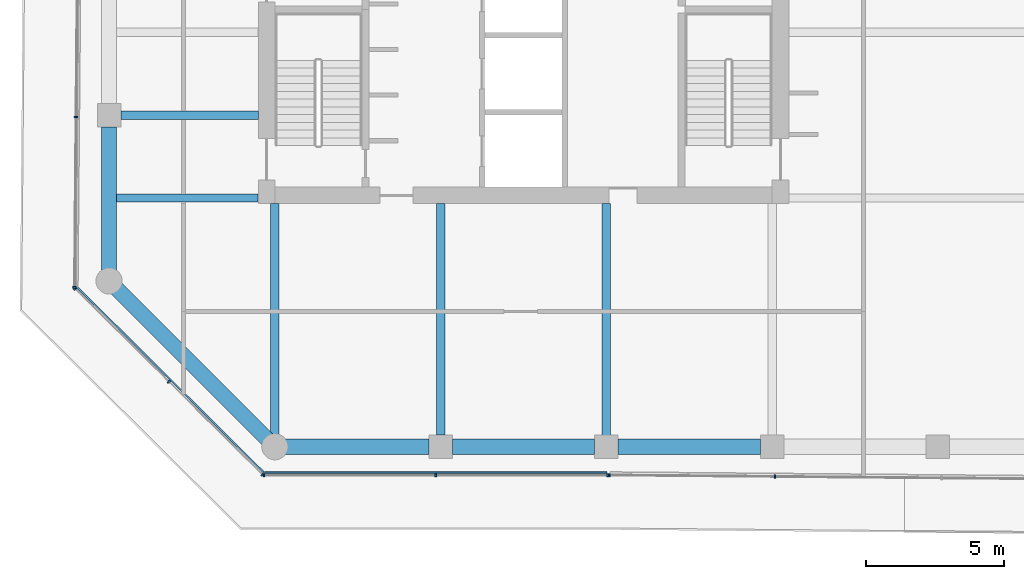
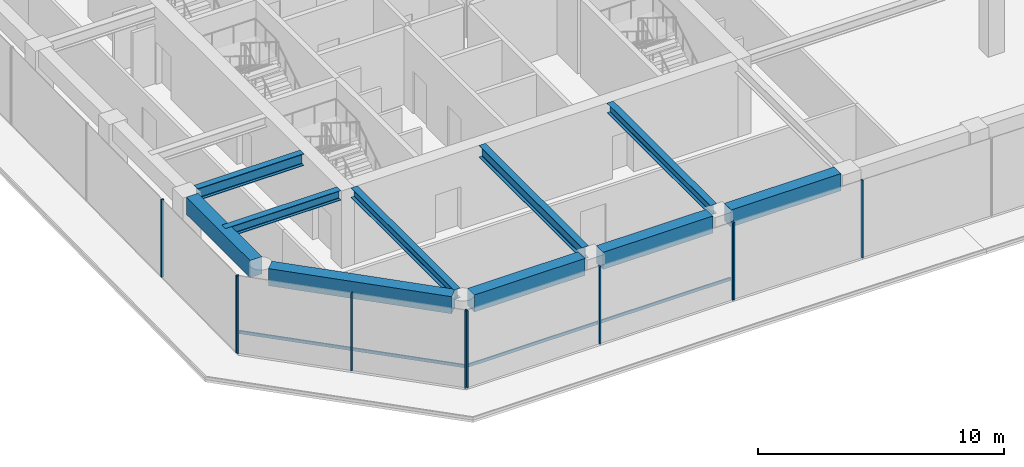
# One storey, part 2 of 19: 12 members, 10 beams, 4 elements without a shape of their own.
"""IFC4 building model written with IfcOpenShell, lengths in metres."""

import ifcopenshell
import ifcopenshell.guid

model = None  # the IFC model being written
_history = None  # IfcOwnerHistory: only IFC2X3 demands one
_inside = {}  # id of a spatial element -> (the spatial element, [elements in it])
_under = {}  # id of a project, library or spatial element -> (it, [spatial elements below it])
_declared = {}  # id of a project -> (the project, [libraries it declares])
_typed = {}  # id of a type object -> (the type object, [elements of that type])
_made_of = {}  # id of a material, layer set ... -> (it, [elements and type objects made of it])


def new_model(schema):
    """Start an empty IFC model of exactly this schema.

    Asked for "IFC4X3", IfcOpenShell would pick the latest addendum, in which some entities
    have other attributes; the version numbers below select the first issue.
    IFC2X3 requires an IfcOwnerHistory on every rooted entity: one is made here for all.
    """
    global model, _history
    if schema == "IFC4X3":
        model = ifcopenshell.file(schema_version=(4, 3, 0, 0))
    else:
        model = ifcopenshell.file(schema=schema)
    _inside.clear()
    _under.clear()
    _declared.clear()
    _typed.clear()
    _made_of.clear()
    _history = None
    if model.schema == "IFC2X3":
        org = make("IfcOrganization", Name="unknown")
        user = make(
            "IfcPersonAndOrganization",
            ThePerson=make("IfcPerson", FamilyName="unknown"),
            TheOrganization=org,
        )
        app = make(
            "IfcApplication",
            ApplicationDeveloper=org,
            Version="unknown",
            ApplicationFullName="unknown",
            ApplicationIdentifier="unknown",
        )
        _history = make(
            "IfcOwnerHistory",
            OwningUser=user,
            OwningApplication=app,
            ChangeAction="ADDED",
            CreationDate=0,
        )
    return model


def make(cls, **values):
    """One entity of the class cls with the attributes given. An attribute that is None is left unset."""
    return model.create_entity(
        cls, **{name: value for name, value in values.items() if value is not None}
    )


def rooted(cls, **values):
    """An entity with a GlobalId (a new one), such as an element, a storey or a relation."""
    return make(cls, GlobalId=ifcopenshell.guid.new(), OwnerHistory=_history, **values)


def si_unit(unit_type, name, prefix=None):
    """IfcSIUnit, for example si_unit("LENGTHUNIT", "METRE", prefix="MILLI")."""
    return make("IfcSIUnit", UnitType=unit_type, Prefix=prefix, Name=name)


def assignment(units):
    """IfcUnitAssignment: the units of a project."""
    return None if units is None else make("IfcUnitAssignment", Units=units)


def point(xyz):
    """IfcCartesianPoint."""
    return None if xyz is None else make("IfcCartesianPoint", Coordinates=xyz)


def direction(xyz):
    """IfcDirection."""
    return None if xyz is None else make("IfcDirection", DirectionRatios=xyz)


def frame(location, z_axis=None, x_axis=None):
    """IfcAxis2Placement3D, a coordinate frame: its origin and axes. An axis left out is left unset."""
    return make(
        "IfcAxis2Placement3D",
        Location=point(location),
        Axis=direction(z_axis),
        RefDirection=direction(x_axis),
    )


def frame_2d(location, x_axis=None):
    """IfcAxis2Placement2D, a coordinate frame in the plane: its origin and x axis."""
    return make(
        "IfcAxis2Placement2D", Location=point(location), RefDirection=direction(x_axis)
    )


def origin():
    """The frame at (0, 0, 0) with its axes left unset."""
    return frame((0.0, 0.0, 0.0))


def origin_2d():
    """The frame at (0, 0) in the plane with its x axis left unset."""
    return frame_2d((0.0, 0.0))


def place(relative_to, where):
    """IfcLocalPlacement: puts the frame where relative to a parent placement (None: the world)."""
    return make(
        "IfcLocalPlacement", PlacementRelTo=relative_to, RelativePlacement=where
    )


def context(
    kind, dimensions, precision=None, world=None, true_north=None, identifier=None
):
    """IfcGeometricRepresentationContext, for example the 3D "Model" context."""
    return make(
        "IfcGeometricRepresentationContext",
        ContextIdentifier=identifier,
        ContextType=kind,
        CoordinateSpaceDimension=dimensions,
        Precision=precision,
        WorldCoordinateSystem=world,
        TrueNorth=true_north,
    )


def subcontext(parent, identifier, kind, view, scale=None):
    """IfcGeometricRepresentationSubContext, for example "Body" below "Model"."""
    return make(
        "IfcGeometricRepresentationSubContext",
        ContextIdentifier=identifier,
        ContextType=kind,
        ParentContext=parent,
        TargetScale=scale,
        TargetView=view,
    )


def project(units=None, contexts=None):
    """IfcProject with its units and contexts."""
    return rooted(
        "IfcProject",
        Name="project",
        RepresentationContexts=contexts,
        UnitsInContext=assignment(units),
    )


def spatial(cls, under=None, at=None, **own):
    """A site, building, storey or space (cls), placed at a placement, below another one or the project."""
    s = rooted(cls, ObjectPlacement=at, **own)
    if under is not None:
        _under.setdefault(under.id(), (under, []))[1].append(s)
    return s


def profile(cls, at=None, kind="AREA", **sizes):
    """A parametric profile (cls). Its sizes go by their IFC names, for example OverallWidth=200.0."""
    return make(cls, ProfileType=kind, Position=at, **sizes)


def rectangle(**sizes):
    """IfcRectangleProfileDef."""
    return profile("IfcRectangleProfileDef", **sizes)


def i_section(**sizes):
    """IfcIShapeProfileDef."""
    return profile("IfcIShapeProfileDef", **sizes)


def extrude(swept, where, along, depth):
    """IfcExtrudedAreaSolid: the profile swept, set in the frame where, extruded along a direction by depth."""
    return make(
        "IfcExtrudedAreaSolid",
        SweptArea=swept,
        Position=where,
        ExtrudedDirection=direction(along),
        Depth=depth,
    )


def shape(context_of_items, identifier, shape_type, items):
    """IfcShapeRepresentation: the items that make up one representation, for example the "Body"."""
    return make(
        "IfcShapeRepresentation",
        ContextOfItems=context_of_items,
        RepresentationIdentifier=identifier,
        RepresentationType=shape_type,
        Items=items,
    )


def material(Name=None, Category=None):
    """IfcMaterial."""
    return make("IfcMaterial", Name=Name, Category=Category)


def layer(
    of_material, thickness, ventilated=None, Name=None, Category=None, Priority=None
):
    """IfcMaterialLayer: one layer of a wall or slab, of a material (None: an air gap)."""
    return make(
        "IfcMaterialLayer",
        Material=of_material,
        LayerThickness=thickness,
        IsVentilated=ventilated,
        Name=Name,
        Category=Category,
        Priority=Priority,
    )


def layer_set(layers, Name=None):
    """IfcMaterialLayerSet."""
    return make("IfcMaterialLayerSet", MaterialLayers=layers, LayerSetName=Name)


def material_profile(
    of_material, cross_section, Name=None, Category=None, Priority=None
):
    """IfcMaterialProfile: a cross section and its material."""
    return make(
        "IfcMaterialProfile",
        Name=Name,
        Material=of_material,
        Profile=cross_section,
        Priority=Priority,
        Category=Category,
    )


def profile_set(profiles, Name=None, composite=None):
    """IfcMaterialProfileSet."""
    return make(
        "IfcMaterialProfileSet",
        Name=Name,
        MaterialProfiles=profiles,
        CompositeProfile=composite,
    )


def made_of(thing, what):
    """Note that an element or type object is made of a material, layer set ...; save() writes the relation."""
    if what is not None:
        _made_of.setdefault(what.id(), (what, []))[1].append(thing)
    return thing


def type_object(cls, material=None, **own):
    """A type object (cls), such as IfcWallType, which elements share."""
    return made_of(rooted(cls, **own), material)


def element(
    cls,
    number,
    at=None,
    inside=None,
    cuts=None,
    type_object=None,
    material=None,
    context=None,
    identifier="Body",
    shape_type=None,
    held_by="IfcProductDefinitionShape",
    body=None,
    shapes=None,
    **own,
):
    """One element of the class cls, such as IfcWall. Its Tag is "e" and its number.

    at: its placement. inside: the storey or other place that contains it. cuts: it is an
    opening in that element (IfcRelVoidsElement). A single representation is given by context,
    identifier, shape_type and body (its items); several are given by shapes. held_by: the class
    of the entity that holds the representations. save() writes the other relations.
    """
    e = rooted(cls, Tag="e%d" % number, ObjectPlacement=at, **own)
    if body is not None:
        shapes = [shape(context, identifier, shape_type, body)]
    if shapes is not None:
        e.Representation = make(held_by, Representations=shapes)
    if inside is not None:
        _inside.setdefault(inside.id(), (inside, []))[1].append(e)
    if cuts is not None:
        rooted(
            "IfcRelVoidsElement", RelatingBuildingElement=cuts, RelatedOpeningElement=e
        )
    if type_object is not None:
        _typed.setdefault(type_object.id(), (type_object, []))[1].append(e)
    return made_of(e, material)


def aggregate(whole, parts):
    """IfcRelAggregates: a whole, such as a stair, and the parts it consists of."""
    return rooted("IfcRelAggregates", RelatingObject=whole, RelatedObjects=parts)


def save(model, path):
    """Write the relations noted so far, then the file.

    IfcRelAggregates (storeys below a building ...), IfcRelContainedInSpatialStructure (elements
    in a storey), IfcRelDefinesByType, IfcRelAssociatesMaterial and IfcRelDeclares: one each for
    every whole, place, type object, material and project.
    """
    for whole, parts in _under.values():
        aggregate(whole, parts)
    for where, things in _inside.values():
        rooted(
            "IfcRelContainedInSpatialStructure",
            RelatedElements=things,
            RelatingStructure=where,
        )
    for kind, things in _typed.values():
        rooted("IfcRelDefinesByType", RelatedObjects=things, RelatingType=kind)
    for what, things in _made_of.values():
        rooted("IfcRelAssociatesMaterial", RelatedObjects=things, RelatingMaterial=what)
    for by, libraries in _declared.values():
        rooted("IfcRelDeclares", RelatingContext=by, RelatedDefinitions=libraries)
    model.write(path)


model = new_model("IFC4")

# Units and contexts
model_context = context("Model", 3, precision=1e-05, world=origin(), true_north=direction((0.0, 1.0)))
body_context = subcontext(model_context, "Body", "Model", "MODEL_VIEW")
ifc_project = project(units=[si_unit("LENGTHUNIT", "METRE"), si_unit("AREAUNIT", "SQUARE_METRE"), si_unit("VOLUMEUNIT", "CUBIC_METRE"), si_unit("PLANEANGLEUNIT", "RADIAN"), si_unit("MASSUNIT", "GRAM", prefix="KILO")], contexts=[model_context])

# Site, building, storey
site_placement = place(None, origin())
site = spatial("IfcSite", under=ifc_project, at=site_placement, CompositionType="ELEMENT")
building_placement = place(site_placement, origin())
building = spatial("IfcBuilding", under=site, at=building_placement, Name="Welwitschia Terrace Campus", CompositionType="ELEMENT")
storey_placement = place(building_placement, frame((0.0, 0.0, 167.60009765625)))
storey = spatial("IfcBuildingStorey", under=building, at=storey_placement, Name="L37", CompositionType="ELEMENT", Elevation=167.60009765625)

# Beams
ifc_material_1 = material(Name="Steel S355", Category="steel")
ifc_material_profile_1 = material_profile(ifc_material_1, i_section(OverallWidth=0.300048828125, OverallDepth=0.489990234375, WebThickness=0.011962890625, FlangeThickness=0.02294921875, FilletRadius=0.027099609375, at=origin_2d()))
ifc_profile_set_1 = profile_set([ifc_material_profile_1], Name="Steel S355")
beam_type_1 = type_object("IfcBeamType", Name="Interior girder HE 500 A", PredefinedType="BEAM", material=ifc_profile_set_1)
beam_1_placement = place(storey_placement, frame((-0.010009765625, 5.0, 3.60498046875), z_axis=(1.0, 0.0, 0.0), x_axis=(0.0, 1.0, 0.0)))
element("IfcBeam", 1, at=beam_1_placement, inside=storey, type_object=beam_type_1, Name="Girder GB4", PredefinedType="BEAM", context=body_context, shape_type="SweptSolid", body=[
    extrude(i_section(OverallWidth=0.300048828125, OverallDepth=0.489990234375, WebThickness=0.011962890625, FlangeThickness=0.02294921875, FilletRadius=0.027099609375, at=origin_2d()), origin(), (0.0, 0.0, 1.0), 5.408935546875),
])
beam_2_placement = place(storey_placement, frame((6.0, -3.55859375, 3.60498046875), z_axis=(0.0, 1.0, 0.0), x_axis=(-1.0, 0.0, 0.0)))
element("IfcBeam", 2, at=beam_2_placement, inside=storey, type_object=beam_type_1, Name="Girder GB4", PredefinedType="BEAM", context=body_context, shape_type="SweptSolid", body=[
    extrude(i_section(OverallWidth=0.300048828125, OverallDepth=0.489990234375, WebThickness=0.011962890625, FlangeThickness=0.02294921875, FilletRadius=0.027099609375, at=origin_2d()), origin(), (0.0, 0.0, 1.0), 8.357666015625),
])
beam_3_placement = place(storey_placement, frame((18.0, -3.58447265625, 3.60498046875), z_axis=(0.0, 1.0, 0.0), x_axis=(-1.0, 0.0, 0.0)))
element("IfcBeam", 3, at=beam_3_placement, inside=storey, type_object=beam_type_1, Name="Girder GB4", PredefinedType="BEAM", context=body_context, shape_type="SweptSolid", body=[
    extrude(i_section(OverallWidth=0.300048828125, OverallDepth=0.489990234375, WebThickness=0.011962890625, FlangeThickness=0.02294921875, FilletRadius=0.027099609375, at=origin_2d()), origin(), (0.0, 0.0, 1.0), 8.383544921875),
])

# Curtain wall, members
ifc_material_2 = material(Name="Bronze anodised aluminium", Category="aluminium")
ifc_layer = layer(ifc_material_2, 0.1201171875)
ifc_layer_set = layer_set([ifc_layer], Name="Bronze anodised aluminium")
curtain_wall_type = type_object("IfcCurtainWallType", Name="Curtain wall CW2 tower 6000", PredefinedType="NOTDEFINED", material=ifc_layer_set)
curtain_wall_1_placement = place(storey_placement, origin())
curtain_wall_1 = element("IfcCurtainWall", 4, at=curtain_wall_1_placement, inside=storey, type_object=curtain_wall_type, Name="CW L37.2.0", PredefinedType="NOTDEFINED")
ifc_material_3 = material(Name="Bronze anodised aluminium", Category="aluminium")
ifc_material_profile_2 = material_profile(ifc_material_3, rectangle(XDim=0.1201171875, YDim=0.06005859375, at=origin_2d()))
ifc_profile_set_2 = profile_set([ifc_material_profile_2], Name="Bronze anodised aluminium")
member_type_1 = type_object("IfcMemberType", Name="Mullion 60x120", PredefinedType="MULLION", material=ifc_profile_set_2)
member_1_placement = place(storey_placement, frame((-1.1923828125, 7.939697265625, 0.0), z_axis=(0.0, 0.0, 1.0), x_axis=(0.999961923064, -0.008726535498, 0.0)))
member_1 = element("IfcMember", 5, at=member_1_placement, type_object=member_type_1, Name="Mullion L37.2.0.3", PredefinedType="MULLION", context=body_context, shape_type="SweptSolid", body=[
    extrude(rectangle(XDim=0.1201171875, YDim=0.06005859375, at=origin_2d()), origin(), (0.0, 0.0, 1.0), 3.849853515625),
])
member_2_placement = place(storey_placement, frame((-1.24609375, 1.77197265625, 0.0), z_axis=(0.0, 0.0, 1.0), x_axis=(0.999961923064, -0.008726535498, 0.0)))
member_2 = element("IfcMember", 6, at=member_2_placement, type_object=member_type_1, Name="Mullion L37.2.0.4", PredefinedType="MULLION", context=body_context, shape_type="SweptSolid", body=[
    extrude(rectangle(XDim=0.1201171875, YDim=0.06005859375, at=origin_2d()), origin(), (0.0, 0.0, 1.0), 3.849853515625),
])
aggregate(curtain_wall_1, [member_1, member_2])

curtain_wall_2_placement = place(storey_placement, origin())
curtain_wall_2 = element("IfcCurtainWall", 7, at=curtain_wall_2_placement, inside=storey, type_object=curtain_wall_type, Name="CW L37.3.0", PredefinedType="NOTDEFINED")
member_3_placement = place(storey_placement, frame((-1.22509765625, 1.720947265625, 0.0), z_axis=(0.0, 0.0, 1.0), x_axis=(0.704618531879, 0.709586305204, 0.0)))
member_3 = element("IfcMember", 8, at=member_3_placement, type_object=member_type_1, Name="Mullion L37.3.0.0", PredefinedType="MULLION", context=body_context, shape_type="SweptSolid", body=[
    extrude(rectangle(XDim=0.1201171875, YDim=0.06005859375, at=origin_2d()), origin(), (0.0, 0.0, 1.0), 3.849853515625),
])
member_4_placement = place(storey_placement, frame((2.16357421875, -1.64404296875, 0.0), z_axis=(0.0, 0.0, 1.0), x_axis=(0.704618531879, 0.709586305204, 0.0)))
member_4 = element("IfcMember", 9, at=member_4_placement, type_object=member_type_1, Name="Mullion L37.3.0.1", PredefinedType="MULLION", context=body_context, shape_type="SweptSolid", body=[
    extrude(rectangle(XDim=0.1201171875, YDim=0.06005859375, at=origin_2d()), origin(), (0.0, 0.0, 1.0), 3.849853515625),
])
member_5_placement = place(storey_placement, frame((5.55224609375, -5.0087890625, 0.0), z_axis=(0.0, 0.0, 1.0), x_axis=(0.704618531879, 0.709586305204, 0.0)))
member_5 = element("IfcMember", 10, at=member_5_placement, type_object=member_type_1, Name="Mullion L37.3.0.2", PredefinedType="MULLION", context=body_context, shape_type="SweptSolid", body=[
    extrude(rectangle(XDim=0.1201171875, YDim=0.06005859375, at=origin_2d()), origin(), (0.0, 0.0, 1.0), 3.849853515625),
])

curtain_wall_3_placement = place(storey_placement, origin())
curtain_wall_3 = element("IfcCurtainWall", 11, at=curtain_wall_3_placement, inside=storey, type_object=curtain_wall_type, Name="CW L37.4.0", PredefinedType="NOTDEFINED")
member_6_placement = place(storey_placement, frame((5.603515625, -5.030029296875, 0.0), z_axis=(0.0, 0.0, 1.0), x_axis=(0.0, 1.0, 0.0)))
member_6 = element("IfcMember", 12, at=member_6_placement, type_object=member_type_1, Name="Mullion L37.4.0.0", PredefinedType="MULLION", context=body_context, shape_type="SweptSolid", body=[
    extrude(rectangle(XDim=0.1201171875, YDim=0.06005859375, at=origin_2d()), origin(), (0.0, 0.0, 1.0), 3.849853515625),
])
member_7_placement = place(storey_placement, frame((11.8251953125, -5.030029296875, 0.0), z_axis=(0.0, 0.0, 1.0), x_axis=(0.0, 1.0, 0.0)))
member_7 = element("IfcMember", 13, at=member_7_placement, type_object=member_type_1, Name="Mullion L37.4.0.1", PredefinedType="MULLION", context=body_context, shape_type="SweptSolid", body=[
    extrude(rectangle(XDim=0.1201171875, YDim=0.06005859375, at=origin_2d()), origin(), (0.0, 0.0, 1.0), 3.849853515625),
])
member_8_placement = place(storey_placement, frame((18.046630859375, -5.030029296875, 0.0), z_axis=(0.0, 0.0, 1.0), x_axis=(0.0, 1.0, 0.0)))
member_8 = element("IfcMember", 14, at=member_8_placement, type_object=member_type_1, Name="Mullion L37.4.0.2", PredefinedType="MULLION", context=body_context, shape_type="SweptSolid", body=[
    extrude(rectangle(XDim=0.1201171875, YDim=0.06005859375, at=origin_2d()), origin(), (0.0, 0.0, 1.0), 3.849853515625),
])

curtain_wall_4_placement = place(storey_placement, origin())
curtain_wall_4 = element("IfcCurtainWall", 15, at=curtain_wall_4_placement, inside=storey, type_object=curtain_wall_type, Name="CW L37.5.0", PredefinedType="NOTDEFINED")
member_9_placement = place(storey_placement, frame((18.106689453125, -5.0302734375, 0.0), z_axis=(0.0, 0.0, 1.0), x_axis=(0.008726535498, 0.999961923064, 0.0)))
member_9 = element("IfcMember", 16, at=member_9_placement, type_object=member_type_1, Name="Mullion L37.5.0.0", PredefinedType="MULLION", context=body_context, shape_type="SweptSolid", body=[
    extrude(rectangle(XDim=0.1201171875, YDim=0.06005859375, at=origin_2d()), origin(), (0.0, 0.0, 1.0), 3.849853515625),
])
member_10_placement = place(storey_placement, frame((24.1015625, -5.08251953125, 0.0), z_axis=(0.0, 0.0, 1.0), x_axis=(0.008726535498, 0.999961923064, 0.0)))
member_10 = element("IfcMember", 17, at=member_10_placement, type_object=member_type_1, Name="Mullion L37.5.0.1", PredefinedType="MULLION", context=body_context, shape_type="SweptSolid", body=[
    extrude(rectangle(XDim=0.1201171875, YDim=0.06005859375, at=origin_2d()), origin(), (0.0, 0.0, 1.0), 3.849853515625),
])
aggregate(curtain_wall_4, [member_9, member_10])

# Beams
ifc_material_4 = material(Name="Steel S355", Category="steel")
ifc_material_profile_3 = material_profile(ifc_material_4, i_section(OverallWidth=0.300048828125, OverallDepth=0.590087890625, WebThickness=0.012939453125, FlangeThickness=0.02490234375, FilletRadius=0.027099609375, at=origin_2d()))
ifc_profile_set_3 = profile_set([ifc_material_profile_3], Name="Steel S355")
beam_type_2 = type_object("IfcBeamType", Name="Primary beam HE 600 A", PredefinedType="BEAM", material=ifc_profile_set_3)
beam_4_placement = place(storey_placement, frame((12.0, -3.574462890625, 3.554931640625), z_axis=(0.0, 1.0, 0.0), x_axis=(-1.0, 0.0, 0.0)))
element("IfcBeam", 18, at=beam_4_placement, inside=storey, type_object=beam_type_2, Name="Primary beam PB4", PredefinedType="BEAM", context=body_context, shape_type="SweptSolid", body=[
    extrude(i_section(OverallWidth=0.300048828125, OverallDepth=0.590087890625, WebThickness=0.012939453125, FlangeThickness=0.02490234375, FilletRadius=0.027099609375, at=origin_2d()), origin(), (0.0, 0.0, 1.0), 8.37451171875),
])
beam_5_placement = place(storey_placement, frame((0.425537109375, 8.0, 3.554931640625), z_axis=(1.0, 0.0, 0.0), x_axis=(0.0, 1.0, 0.0)))
element("IfcBeam", 19, at=beam_5_placement, inside=storey, type_object=beam_type_2, Name="Primary beam PB4", PredefinedType="BEAM", context=body_context, shape_type="SweptSolid", body=[
    extrude(i_section(OverallWidth=0.300048828125, OverallDepth=0.590087890625, WebThickness=0.012939453125, FlangeThickness=0.02490234375, FilletRadius=0.027099609375, at=origin_2d()), origin(), (0.0, 0.0, 1.0), 4.974365234375),
])
ifc_material_5 = material(Name="Concrete C50/60", Category="concrete")
ifc_material_profile_4 = material_profile(ifc_material_5, rectangle(XDim=0.550048828125, YDim=0.85009765625, at=origin_2d()))
ifc_profile_set_4 = profile_set([ifc_material_profile_4], Name="Concrete C50/60")
beam_type_3 = type_object("IfcBeamType", Name="Ring spandrel 550x850", PredefinedType="SPANDREL", material=ifc_profile_set_4)
beam_6_placement = place(storey_placement, frame((0.2744140625, 1.7255859375, 3.4248046875), z_axis=(0.707106781187, -0.707106781187, 0.0), x_axis=(0.707106781187, 0.707106781187, 0.0)))
element("IfcBeam", 20, at=beam_6_placement, inside=storey, type_object=beam_type_3, Name="Spandrel SP3", PredefinedType="SPANDREL", context=body_context, shape_type="SweptSolid", body=[
    extrude(rectangle(XDim=0.550048828125, YDim=0.85009765625, at=origin_2d()), origin(), (0.0, 0.0, 1.0), 7.709228515625),
])
beam_7_placement = place(storey_placement, frame((6.387939453125, -4.0, 3.4248046875), z_axis=(1.0, 0.0, 0.0), x_axis=(0.0, 1.0, 0.0)))
element("IfcBeam", 21, at=beam_7_placement, inside=storey, type_object=beam_type_3, Name="Spandrel SP3", PredefinedType="SPANDREL", context=body_context, shape_type="SweptSolid", body=[
    extrude(rectangle(XDim=0.550048828125, YDim=0.85009765625, at=origin_2d()), origin(), (0.0, 0.0, 1.0), 5.1865234375),
])
for number, where, z_axis, x_axis, name in (
    (22, (12.425537109375, -4.0, 3.4248046875), (1.0, 0.0, 0.0), (0.0, 1.0, 0.0), "Spandrel SP3"),
    (23, (18.425537109375, -4.0, 3.4248046875), (1.0, 0.0, 0.0), (0.0, 1.0, 0.0), "Spandrel SP3"),
):
    element("IfcBeam", number, at=place(storey_placement, frame(where, z_axis=z_axis, x_axis=x_axis)), inside=storey, type_object=beam_type_3, Name=name, PredefinedType="SPANDREL", context=body_context, shape_type="SweptSolid", body=[
        extrude(rectangle(XDim=0.550048828125, YDim=0.85009765625, at=origin_2d()), origin(), (0.0, 0.0, 1.0), 5.14892578125),
    ])
beam_8_placement = place(storey_placement, frame((0.0, 7.574462890625, 3.4248046875), z_axis=(0.0, -1.0, 0.0), x_axis=(1.0, 0.0, 0.0)))
element("IfcBeam", 24, at=beam_8_placement, inside=storey, type_object=beam_type_3, Name="Spandrel SP3", PredefinedType="SPANDREL", context=body_context, shape_type="SweptSolid", body=[
    extrude(rectangle(XDim=0.550048828125, YDim=0.85009765625, at=origin_2d()), origin(), (0.0, 0.0, 1.0), 5.1865234375),
])

# Member
ifc_material_6 = material(Name="Bronze anodised aluminium", Category="aluminium")
ifc_material_profile_5 = material_profile(ifc_material_6, rectangle(XDim=0.06005859375, YDim=0.14990234375, at=origin_2d()))
ifc_profile_set_5 = profile_set([ifc_material_profile_5], Name="Bronze anodised aluminium")
member_type_2 = type_object("IfcMemberType", Name="Transom 60x150", PredefinedType="USERDEFINED", material=ifc_profile_set_5)
member_11_placement = place(storey_placement, frame((-1.140380859375, 1.763671875, 1.0), z_axis=(0.709584748777, -0.704620099275, 0.0), x_axis=(0.704620099275, 0.709584748777, 0.0)))
member_11 = element("IfcMember", 25, at=member_11_placement, type_object=member_type_2, Name="Transom L37.3.0", ObjectType="TRANSOM", PredefinedType="USERDEFINED", context=body_context, shape_type="SweptSolid", body=[
    extrude(rectangle(XDim=0.06005859375, YDim=0.14990234375, at=origin_2d()), origin(), (0.0, 0.0, 1.0), 9.490966796875),
])

aggregate(curtain_wall_2, [member_3, member_4, member_5, member_11])

member_12_placement = place(storey_placement, frame((5.63330078125, -4.93994140625, 1.0), z_axis=(1.0, 0.0, 0.0), x_axis=(0.0, 1.0, 0.0)))
member_12 = element("IfcMember", 26, at=member_12_placement, type_object=member_type_2, Name="Transom L37.4.0", ObjectType="TRANSOM", PredefinedType="USERDEFINED", context=body_context, shape_type="SweptSolid", body=[
    extrude(rectangle(XDim=0.06005859375, YDim=0.14990234375, at=origin_2d()), origin(), (0.0, 0.0, 1.0), 12.383544921875),
])

aggregate(curtain_wall_3, [member_6, member_7, member_8, member_12])

save(model, "model.ifc")
